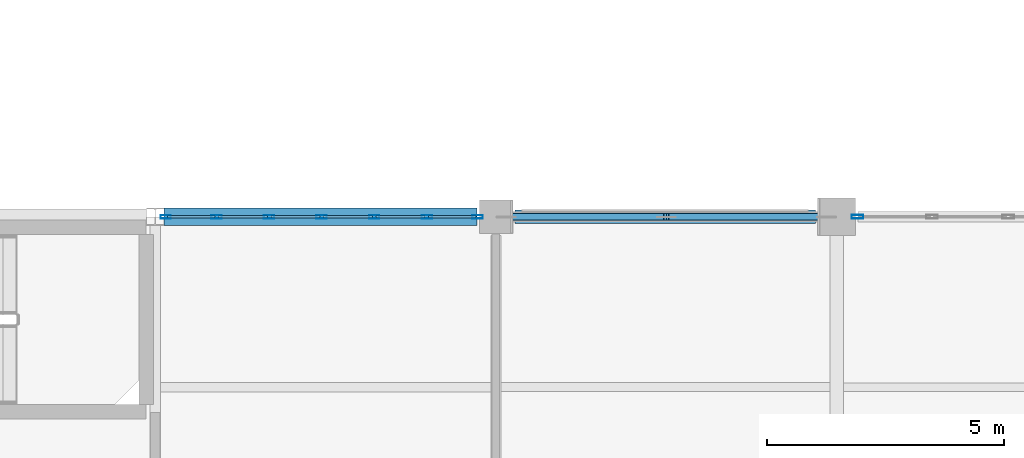
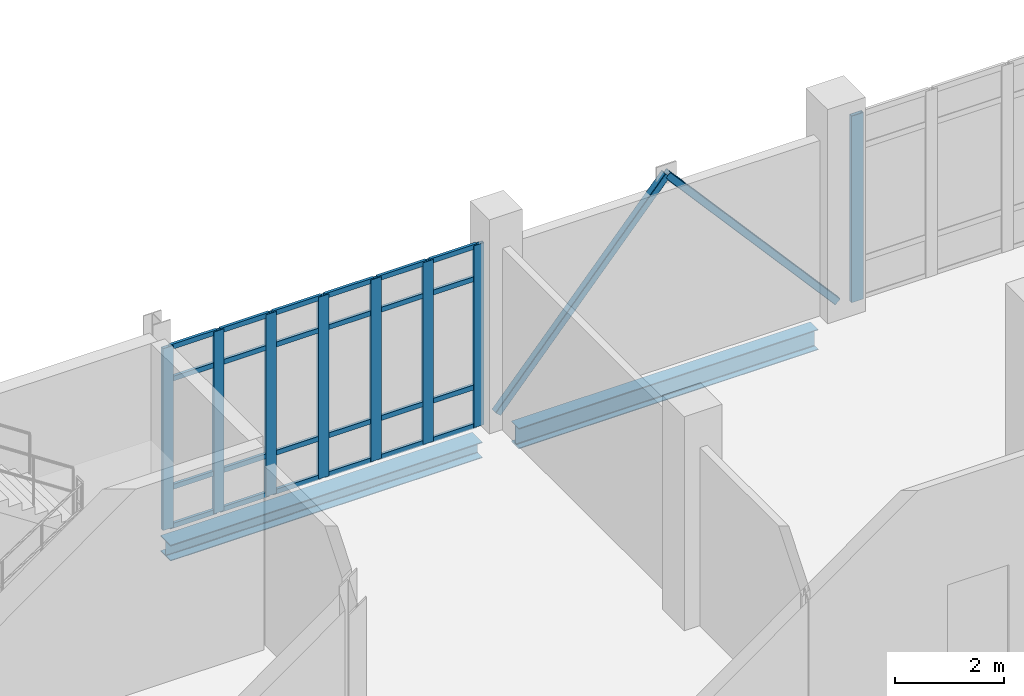
# One storey, part 77 of 153: 34 members, 2 beams, 2 elements without a shape of their own.
"""IFC4 building model written with IfcOpenShell, lengths in metres."""

from ifc_helpers import new_model, si_unit, direction, frame, origin, origin_2d, place, context, subcontext, project, spatial, hollow_rectangle, i_section, extrude, material, layer, layer_set, material_profile, profile_set, type_object, element, aggregate, save


model = new_model("IFC4")

# Units and contexts
model_context = context("Model", 3, precision=1e-05, world=origin(), true_north=direction((0.0, 1.0)))
body_context = subcontext(model_context, "Body", "Model", "MODEL_VIEW")
ifc_project = project(units=[si_unit("LENGTHUNIT", "METRE"), si_unit("AREAUNIT", "SQUARE_METRE"), si_unit("VOLUMEUNIT", "CUBIC_METRE"), si_unit("PLANEANGLEUNIT", "RADIAN"), si_unit("MASSUNIT", "GRAM", prefix="KILO")], contexts=[model_context])

# Site, building, storey
site_placement = place(None, origin())
site = spatial("IfcSite", under=ifc_project, at=site_placement, CompositionType="ELEMENT")
building_placement = place(site_placement, origin())
building = spatial("IfcBuilding", under=site, at=building_placement, Name="Calvrana Isthmian Art Gallery", CompositionType="ELEMENT")
storey_placement = place(building_placement, frame((0.0, 0.0, 10.199951171875)))
storey = spatial("IfcBuildingStorey", under=building, at=storey_placement, Name="L02", CompositionType="ELEMENT", Elevation=10.199951171875)

# Beams
ifc_material_1 = material(Name="Steel ASTM A992 Gr 50", Category="steel")
ifc_material_profile_1 = material_profile(ifc_material_1, i_section(OverallWidth=0.279052734375, OverallDepth=0.4619140625, WebThickness=0.0107421875, FlangeThickness=0.017333984375, FilletRadius=0.02001953125, at=origin_2d()), Name="W18X76")
ifc_profile_set_1 = profile_set([ifc_material_profile_1], Name="Steel ASTM A992 Gr 50")
beam_type_1 = type_object("IfcBeamType", Name="BM-G-W18X76", PredefinedType="BEAM", material=ifc_profile_set_1)
beam_1_placement = place(storey_placement, frame((120.39990234375, 98.39990234375, -0.495849609375), z_axis=(1.0, 0.0, 0.0), x_axis=(0.0, 1.0, 0.0)))
element("IfcBeam", 1, at=beam_1_placement, inside=storey, type_object=beam_type_1, Name="Girder X L02 16-17/N", PredefinedType="BEAM", context=body_context, shape_type="SweptSolid", body=[
    extrude(i_section(OverallWidth=0.279052734375, OverallDepth=0.4619140625, WebThickness=0.0107421875, FlangeThickness=0.017333984375, FilletRadius=0.02001953125, at=origin_2d()), origin(), (0.0, 0.0, 1.0), 6.35009765625),
])
ifc_material_profile_2 = material_profile(ifc_material_1, i_section(OverallWidth=0.367919921875, OverallDepth=0.35595703125, WebThickness=0.01123046875, FlangeThickness=0.01806640625, FilletRadius=0.02490234375, at=origin_2d()), Name="W14X90")
ifc_profile_set_2 = profile_set([ifc_material_profile_2], Name="Steel ASTM A992 Gr 50")
beam_type_2 = type_object("IfcBeamType", Name="BM-SP-W14X90", PredefinedType="SPANDREL", material=ifc_profile_set_2)
beam_2_placement = place(storey_placement, frame((112.985595703125, 98.39990234375, -0.44287109375), z_axis=(1.0, 0.0, 0.0), x_axis=(0.0, 1.0, 0.0)))
element("IfcBeam", 2, at=beam_2_placement, inside=storey, type_object=beam_type_2, Name="Girder X L02 15-16/N", PredefinedType="SPANDREL", context=body_context, shape_type="SweptSolid", body=[
    extrude(i_section(OverallWidth=0.367919921875, OverallDepth=0.35595703125, WebThickness=0.01123046875, FlangeThickness=0.01806640625, FilletRadius=0.02490234375, at=origin_2d()), origin(), (0.0, 0.0, 1.0), 6.614501953125),
])

# Curtain wall, members
ifc_material_2 = material(Name="Anodized bronze aluminium 6063-T6", Category="aluminium")
ifc_layer_1 = layer(ifc_material_2, 0.179931640625, Name="Anodized bronze aluminium 6063-T6")
ifc_layer_set_1 = layer_set([ifc_layer_1], Name="Anodized bronze aluminium 6063-T6")
curtain_wall_type_1 = type_object("IfcCurtainWallType", Name="CW-UNIT-067X41", PredefinedType="USERDEFINED", material=ifc_layer_set_1)
curtain_wall_1_placement = place(storey_placement, origin())
curtain_wall_1 = element("IfcCurtainWall", 3, at=curtain_wall_1_placement, inside=storey, type_object=curtain_wall_type_1, Name="Curtain wall CW-160", ObjectType="UNITISED CURTAIN WALL", PredefinedType="USERDEFINED")
ifc_material_profile_3 = material_profile(ifc_material_2, hollow_rectangle(XDim=0.074951171875, YDim=0.219970703125, WallThickness=0.0048828125, at=origin_2d()), Name="CWM75X220")
ifc_profile_set_3 = profile_set([ifc_material_profile_3], Name="Anodized bronze aluminium 6063-T6")
member_type_1 = type_object("IfcMemberType", Name="CWM-CWM75X220", PredefinedType="MULLION", material=ifc_profile_set_3)
member_1_placement = place(storey_placement, frame((113.02392578125, 98.39990234375, 0.0), z_axis=(0.0, 0.0, 1.0), x_axis=(0.0, 1.0, 0.0)))
member_1 = element("IfcMember", 4, at=member_1_placement, type_object=member_type_1, Name="CW-160 mullion 1", PredefinedType="MULLION", context=body_context, shape_type="SweptSolid", body=[
    extrude(hollow_rectangle(XDim=0.074951171875, YDim=0.219970703125, WallThickness=0.0048828125, at=origin_2d()), origin(), (0.0, 0.0, 1.0), 4.078125),
])
member_2_placement = place(storey_placement, frame((114.09716796875, 98.39990234375, 0.0), z_axis=(0.0, 0.0, 1.0), x_axis=(0.0, 1.0, 0.0)))
member_2 = element("IfcMember", 5, at=member_2_placement, type_object=member_type_1, Name="CW-160 mullion 2", PredefinedType="MULLION", context=body_context, shape_type="SweptSolid", body=[
    extrude(hollow_rectangle(XDim=0.074951171875, YDim=0.219970703125, WallThickness=0.0048828125, at=origin_2d()), origin(), (0.0, 0.0, 1.0), 4.078125),
])
member_3_placement = place(storey_placement, frame((115.207763671875, 98.39990234375, 0.0), z_axis=(0.0, 0.0, 1.0), x_axis=(0.0, 1.0, 0.0)))
member_3 = element("IfcMember", 6, at=member_3_placement, type_object=member_type_1, Name="CW-160 mullion 3", PredefinedType="MULLION", context=body_context, shape_type="SweptSolid", body=[
    extrude(hollow_rectangle(XDim=0.074951171875, YDim=0.219970703125, WallThickness=0.0048828125, at=origin_2d()), origin(), (0.0, 0.0, 1.0), 4.078125),
])
member_4_placement = place(storey_placement, frame((116.318359375, 98.39990234375, 0.0), z_axis=(0.0, 0.0, 1.0), x_axis=(0.0, 1.0, 0.0)))
member_4 = element("IfcMember", 7, at=member_4_placement, type_object=member_type_1, Name="CW-160 mullion 4", PredefinedType="MULLION", context=body_context, shape_type="SweptSolid", body=[
    extrude(hollow_rectangle(XDim=0.074951171875, YDim=0.219970703125, WallThickness=0.0048828125, at=origin_2d()), origin(), (0.0, 0.0, 1.0), 4.078125),
])
member_5_placement = place(storey_placement, frame((117.428955078125, 98.39990234375, 0.0), z_axis=(0.0, 0.0, 1.0), x_axis=(0.0, 1.0, 0.0)))
member_5 = element("IfcMember", 8, at=member_5_placement, type_object=member_type_1, Name="CW-160 mullion 5", PredefinedType="MULLION", context=body_context, shape_type="SweptSolid", body=[
    extrude(hollow_rectangle(XDim=0.074951171875, YDim=0.219970703125, WallThickness=0.0048828125, at=origin_2d()), origin(), (0.0, 0.0, 1.0), 4.078125),
])
member_6_placement = place(storey_placement, frame((118.539306640625, 98.39990234375, 0.0), z_axis=(0.0, 0.0, 1.0), x_axis=(0.0, 1.0, 0.0)))
member_6 = element("IfcMember", 9, at=member_6_placement, type_object=member_type_1, Name="CW-160 mullion 6", PredefinedType="MULLION", context=body_context, shape_type="SweptSolid", body=[
    extrude(hollow_rectangle(XDim=0.074951171875, YDim=0.219970703125, WallThickness=0.0048828125, at=origin_2d()), origin(), (0.0, 0.0, 1.0), 4.078125),
])
member_7_placement = place(storey_placement, frame((119.612548828125, 98.39990234375, 0.0), z_axis=(0.0, 0.0, 1.0), x_axis=(0.0, 1.0, 0.0)))
member_7 = element("IfcMember", 10, at=member_7_placement, type_object=member_type_1, Name="CW-160 mullion 7", PredefinedType="MULLION", context=body_context, shape_type="SweptSolid", body=[
    extrude(hollow_rectangle(XDim=0.074951171875, YDim=0.219970703125, WallThickness=0.0048828125, at=origin_2d()), origin(), (0.0, 0.0, 1.0), 4.078125),
])

# Curtain wall, member
ifc_layer_2 = layer(ifc_material_2, 0.179931640625, Name="Anodized bronze aluminium 6063-T6")
ifc_layer_set_2 = layer_set([ifc_layer_2], Name="Anodized bronze aluminium 6063-T6")
curtain_wall_type_2 = type_object("IfcCurtainWallType", Name="CW-STICK-065X42", PredefinedType="NOTDEFINED", material=ifc_layer_set_2)
curtain_wall_2_placement = place(storey_placement, origin())
curtain_wall_2 = element("IfcCurtainWall", 11, at=curtain_wall_2_placement, inside=storey, type_object=curtain_wall_type_2, Name="Curtain wall CW-161", PredefinedType="NOTDEFINED")
ifc_material_profile_4 = material_profile(ifc_material_2, hollow_rectangle(XDim=0.080078125, YDim=0.25, WallThickness=0.005615234375, at=origin_2d()), Name="CWM80X250")
ifc_profile_set_4 = profile_set([ifc_material_profile_4], Name="Anodized bronze aluminium 6063-T6")
member_type_2 = type_object("IfcMemberType", Name="CWM-CWM80X250", PredefinedType="MULLION", material=ifc_profile_set_4)
member_8_placement = place(storey_placement, frame((127.639892578125, 98.39990234375, 0.0), z_axis=(0.0, 0.0, 1.0), x_axis=(0.0, 1.0, 0.0)))
member_8 = element("IfcMember", 12, at=member_8_placement, type_object=member_type_2, Name="CW-161 mullion 1", PredefinedType="MULLION", context=body_context, shape_type="SweptSolid", body=[
    extrude(hollow_rectangle(XDim=0.080078125, YDim=0.25, WallThickness=0.005615234375, at=origin_2d()), origin(), (0.0, 0.0, 1.0), 4.18408203125),
])
aggregate(curtain_wall_2, [member_8])

# Member
ifc_material_profile_5 = material_profile(ifc_material_2, hollow_rectangle(XDim=0.06005859375, YDim=0.110107421875, WallThickness=0.00341796875, at=origin_2d()), Name="CWT60X110")
ifc_profile_set_5 = profile_set([ifc_material_profile_5], Name="Anodized bronze aluminium 6063-T6")
member_type_3 = type_object("IfcMemberType", Name="CWT-CWT60X110", PredefinedType="USERDEFINED", material=ifc_profile_set_5)
member_9_placement = place(storey_placement, frame((113.0615234375, 98.39990234375, 0.030029296875), z_axis=(1.0, 0.0, 0.0), x_axis=(0.0, 1.0, 0.0)))
member_9 = element("IfcMember", 13, at=member_9_placement, type_object=member_type_3, Name="CW-160 transom 1.1", ObjectType="TRANSOM", PredefinedType="USERDEFINED", context=body_context, shape_type="SweptSolid", body=[
    extrude(hollow_rectangle(XDim=0.06005859375, YDim=0.110107421875, WallThickness=0.00341796875, at=origin_2d()), origin(), (0.0, 0.0, 1.0), 0.998046875),
])

member_10_placement = place(storey_placement, frame((113.0615234375, 98.39990234375, 0.900146484375), z_axis=(1.0, 0.0, 0.0), x_axis=(0.0, 1.0, 0.0)))
member_10 = element("IfcMember", 14, at=member_10_placement, type_object=member_type_3, Name="CW-160 transom 1.2", ObjectType="TRANSOM", PredefinedType="USERDEFINED", context=body_context, shape_type="SweptSolid", body=[
    extrude(hollow_rectangle(XDim=0.06005859375, YDim=0.110107421875, WallThickness=0.00341796875, at=origin_2d()), origin(), (0.0, 0.0, 1.0), 0.998046875),
])

member_11_placement = place(storey_placement, frame((113.0615234375, 98.39990234375, 3.328125), z_axis=(1.0, 0.0, 0.0), x_axis=(0.0, 1.0, 0.0)))
member_11 = element("IfcMember", 15, at=member_11_placement, type_object=member_type_3, Name="CW-160 transom 1.3", ObjectType="TRANSOM", PredefinedType="USERDEFINED", context=body_context, shape_type="SweptSolid", body=[
    extrude(hollow_rectangle(XDim=0.06005859375, YDim=0.110107421875, WallThickness=0.00341796875, at=origin_2d()), origin(), (0.0, 0.0, 1.0), 0.998046875),
])

member_12_placement = place(storey_placement, frame((113.0615234375, 98.39990234375, 4.048095703125), z_axis=(1.0, 0.0, 0.0), x_axis=(0.0, 1.0, 0.0)))
member_12 = element("IfcMember", 16, at=member_12_placement, type_object=member_type_3, Name="CW-160 transom 1.4", ObjectType="TRANSOM", PredefinedType="USERDEFINED", context=body_context, shape_type="SweptSolid", body=[
    extrude(hollow_rectangle(XDim=0.06005859375, YDim=0.110107421875, WallThickness=0.00341796875, at=origin_2d()), origin(), (0.0, 0.0, 1.0), 0.998046875),
])

member_13_placement = place(storey_placement, frame((114.134521484375, 98.39990234375, 0.030029296875), z_axis=(1.0, 0.0, 0.0), x_axis=(0.0, 1.0, 0.0)))
member_13 = element("IfcMember", 17, at=member_13_placement, type_object=member_type_3, Name="CW-160 transom 2.1", ObjectType="TRANSOM", PredefinedType="USERDEFINED", context=body_context, shape_type="SweptSolid", body=[
    extrude(hollow_rectangle(XDim=0.06005859375, YDim=0.110107421875, WallThickness=0.00341796875, at=origin_2d()), origin(), (0.0, 0.0, 1.0), 1.03564453125),
])

member_14_placement = place(storey_placement, frame((114.134521484375, 98.39990234375, 0.900146484375), z_axis=(1.0, 0.0, 0.0), x_axis=(0.0, 1.0, 0.0)))
member_14 = element("IfcMember", 18, at=member_14_placement, type_object=member_type_3, Name="CW-160 transom 2.2", ObjectType="TRANSOM", PredefinedType="USERDEFINED", context=body_context, shape_type="SweptSolid", body=[
    extrude(hollow_rectangle(XDim=0.06005859375, YDim=0.110107421875, WallThickness=0.00341796875, at=origin_2d()), origin(), (0.0, 0.0, 1.0), 1.03564453125),
])

member_15_placement = place(storey_placement, frame((114.134521484375, 98.39990234375, 3.328125), z_axis=(1.0, 0.0, 0.0), x_axis=(0.0, 1.0, 0.0)))
member_15 = element("IfcMember", 19, at=member_15_placement, type_object=member_type_3, Name="CW-160 transom 2.3", ObjectType="TRANSOM", PredefinedType="USERDEFINED", context=body_context, shape_type="SweptSolid", body=[
    extrude(hollow_rectangle(XDim=0.06005859375, YDim=0.110107421875, WallThickness=0.00341796875, at=origin_2d()), origin(), (0.0, 0.0, 1.0), 1.03564453125),
])

member_16_placement = place(storey_placement, frame((114.134521484375, 98.39990234375, 4.048095703125), z_axis=(1.0, 0.0, 0.0), x_axis=(0.0, 1.0, 0.0)))
member_16 = element("IfcMember", 20, at=member_16_placement, type_object=member_type_3, Name="CW-160 transom 2.4", ObjectType="TRANSOM", PredefinedType="USERDEFINED", context=body_context, shape_type="SweptSolid", body=[
    extrude(hollow_rectangle(XDim=0.06005859375, YDim=0.110107421875, WallThickness=0.00341796875, at=origin_2d()), origin(), (0.0, 0.0, 1.0), 1.03564453125),
])

member_17_placement = place(storey_placement, frame((115.2451171875, 98.39990234375, 0.030029296875), z_axis=(1.0, 0.0, 0.0), x_axis=(0.0, 1.0, 0.0)))
member_17 = element("IfcMember", 21, at=member_17_placement, type_object=member_type_3, Name="CW-160 transom 3.1", ObjectType="TRANSOM", PredefinedType="USERDEFINED", context=body_context, shape_type="SweptSolid", body=[
    extrude(hollow_rectangle(XDim=0.06005859375, YDim=0.110107421875, WallThickness=0.00341796875, at=origin_2d()), origin(), (0.0, 0.0, 1.0), 1.03564453125),
])

member_18_placement = place(storey_placement, frame((115.2451171875, 98.39990234375, 0.900146484375), z_axis=(1.0, 0.0, 0.0), x_axis=(0.0, 1.0, 0.0)))
member_18 = element("IfcMember", 22, at=member_18_placement, type_object=member_type_3, Name="CW-160 transom 3.2", ObjectType="TRANSOM", PredefinedType="USERDEFINED", context=body_context, shape_type="SweptSolid", body=[
    extrude(hollow_rectangle(XDim=0.06005859375, YDim=0.110107421875, WallThickness=0.00341796875, at=origin_2d()), origin(), (0.0, 0.0, 1.0), 1.03564453125),
])

member_19_placement = place(storey_placement, frame((115.2451171875, 98.39990234375, 3.328125), z_axis=(1.0, 0.0, 0.0), x_axis=(0.0, 1.0, 0.0)))
member_19 = element("IfcMember", 23, at=member_19_placement, type_object=member_type_3, Name="CW-160 transom 3.3", ObjectType="TRANSOM", PredefinedType="USERDEFINED", context=body_context, shape_type="SweptSolid", body=[
    extrude(hollow_rectangle(XDim=0.06005859375, YDim=0.110107421875, WallThickness=0.00341796875, at=origin_2d()), origin(), (0.0, 0.0, 1.0), 1.03564453125),
])

member_20_placement = place(storey_placement, frame((115.2451171875, 98.39990234375, 4.048095703125), z_axis=(1.0, 0.0, 0.0), x_axis=(0.0, 1.0, 0.0)))
member_20 = element("IfcMember", 24, at=member_20_placement, type_object=member_type_3, Name="CW-160 transom 3.4", ObjectType="TRANSOM", PredefinedType="USERDEFINED", context=body_context, shape_type="SweptSolid", body=[
    extrude(hollow_rectangle(XDim=0.06005859375, YDim=0.110107421875, WallThickness=0.00341796875, at=origin_2d()), origin(), (0.0, 0.0, 1.0), 1.03564453125),
])

member_21_placement = place(storey_placement, frame((116.355712890625, 98.39990234375, 0.030029296875), z_axis=(1.0, 0.0, 0.0), x_axis=(0.0, 1.0, 0.0)))
member_21 = element("IfcMember", 25, at=member_21_placement, type_object=member_type_3, Name="CW-160 transom 4.1", ObjectType="TRANSOM", PredefinedType="USERDEFINED", context=body_context, shape_type="SweptSolid", body=[
    extrude(hollow_rectangle(XDim=0.06005859375, YDim=0.110107421875, WallThickness=0.00341796875, at=origin_2d()), origin(), (0.0, 0.0, 1.0), 1.03564453125),
])

member_22_placement = place(storey_placement, frame((116.355712890625, 98.39990234375, 0.900146484375), z_axis=(1.0, 0.0, 0.0), x_axis=(0.0, 1.0, 0.0)))
member_22 = element("IfcMember", 26, at=member_22_placement, type_object=member_type_3, Name="CW-160 transom 4.2", ObjectType="TRANSOM", PredefinedType="USERDEFINED", context=body_context, shape_type="SweptSolid", body=[
    extrude(hollow_rectangle(XDim=0.06005859375, YDim=0.110107421875, WallThickness=0.00341796875, at=origin_2d()), origin(), (0.0, 0.0, 1.0), 1.03564453125),
])

member_23_placement = place(storey_placement, frame((116.355712890625, 98.39990234375, 3.328125), z_axis=(1.0, 0.0, 0.0), x_axis=(0.0, 1.0, 0.0)))
member_23 = element("IfcMember", 27, at=member_23_placement, type_object=member_type_3, Name="CW-160 transom 4.3", ObjectType="TRANSOM", PredefinedType="USERDEFINED", context=body_context, shape_type="SweptSolid", body=[
    extrude(hollow_rectangle(XDim=0.06005859375, YDim=0.110107421875, WallThickness=0.00341796875, at=origin_2d()), origin(), (0.0, 0.0, 1.0), 1.03564453125),
])

member_24_placement = place(storey_placement, frame((116.355712890625, 98.39990234375, 4.048095703125), z_axis=(1.0, 0.0, 0.0), x_axis=(0.0, 1.0, 0.0)))
member_24 = element("IfcMember", 28, at=member_24_placement, type_object=member_type_3, Name="CW-160 transom 4.4", ObjectType="TRANSOM", PredefinedType="USERDEFINED", context=body_context, shape_type="SweptSolid", body=[
    extrude(hollow_rectangle(XDim=0.06005859375, YDim=0.110107421875, WallThickness=0.00341796875, at=origin_2d()), origin(), (0.0, 0.0, 1.0), 1.03564453125),
])

member_25_placement = place(storey_placement, frame((117.46630859375, 98.39990234375, 0.030029296875), z_axis=(1.0, 0.0, 0.0), x_axis=(0.0, 1.0, 0.0)))
member_25 = element("IfcMember", 29, at=member_25_placement, type_object=member_type_3, Name="CW-160 transom 5.1", ObjectType="TRANSOM", PredefinedType="USERDEFINED", context=body_context, shape_type="SweptSolid", body=[
    extrude(hollow_rectangle(XDim=0.06005859375, YDim=0.110107421875, WallThickness=0.00341796875, at=origin_2d()), origin(), (0.0, 0.0, 1.0), 1.03564453125),
])

member_26_placement = place(storey_placement, frame((117.46630859375, 98.39990234375, 0.900146484375), z_axis=(1.0, 0.0, 0.0), x_axis=(0.0, 1.0, 0.0)))
member_26 = element("IfcMember", 30, at=member_26_placement, type_object=member_type_3, Name="CW-160 transom 5.2", ObjectType="TRANSOM", PredefinedType="USERDEFINED", context=body_context, shape_type="SweptSolid", body=[
    extrude(hollow_rectangle(XDim=0.06005859375, YDim=0.110107421875, WallThickness=0.00341796875, at=origin_2d()), origin(), (0.0, 0.0, 1.0), 1.03564453125),
])

member_27_placement = place(storey_placement, frame((117.46630859375, 98.39990234375, 3.328125), z_axis=(1.0, 0.0, 0.0), x_axis=(0.0, 1.0, 0.0)))
member_27 = element("IfcMember", 31, at=member_27_placement, type_object=member_type_3, Name="CW-160 transom 5.3", ObjectType="TRANSOM", PredefinedType="USERDEFINED", context=body_context, shape_type="SweptSolid", body=[
    extrude(hollow_rectangle(XDim=0.06005859375, YDim=0.110107421875, WallThickness=0.00341796875, at=origin_2d()), origin(), (0.0, 0.0, 1.0), 1.03564453125),
])

member_28_placement = place(storey_placement, frame((117.46630859375, 98.39990234375, 4.048095703125), z_axis=(1.0, 0.0, 0.0), x_axis=(0.0, 1.0, 0.0)))
member_28 = element("IfcMember", 32, at=member_28_placement, type_object=member_type_3, Name="CW-160 transom 5.4", ObjectType="TRANSOM", PredefinedType="USERDEFINED", context=body_context, shape_type="SweptSolid", body=[
    extrude(hollow_rectangle(XDim=0.06005859375, YDim=0.110107421875, WallThickness=0.00341796875, at=origin_2d()), origin(), (0.0, 0.0, 1.0), 1.03564453125),
])

member_29_placement = place(storey_placement, frame((118.576904296875, 98.39990234375, 0.030029296875), z_axis=(1.0, 0.0, 0.0), x_axis=(0.0, 1.0, 0.0)))
member_29 = element("IfcMember", 33, at=member_29_placement, type_object=member_type_3, Name="CW-160 transom 6.1", ObjectType="TRANSOM", PredefinedType="USERDEFINED", context=body_context, shape_type="SweptSolid", body=[
    extrude(hollow_rectangle(XDim=0.06005859375, YDim=0.110107421875, WallThickness=0.00341796875, at=origin_2d()), origin(), (0.0, 0.0, 1.0), 0.998046875),
])

member_30_placement = place(storey_placement, frame((118.576904296875, 98.39990234375, 0.900146484375), z_axis=(1.0, 0.0, 0.0), x_axis=(0.0, 1.0, 0.0)))
member_30 = element("IfcMember", 34, at=member_30_placement, type_object=member_type_3, Name="CW-160 transom 6.2", ObjectType="TRANSOM", PredefinedType="USERDEFINED", context=body_context, shape_type="SweptSolid", body=[
    extrude(hollow_rectangle(XDim=0.06005859375, YDim=0.110107421875, WallThickness=0.00341796875, at=origin_2d()), origin(), (0.0, 0.0, 1.0), 0.998046875),
])

member_31_placement = place(storey_placement, frame((118.576904296875, 98.39990234375, 3.328125), z_axis=(1.0, 0.0, 0.0), x_axis=(0.0, 1.0, 0.0)))
member_31 = element("IfcMember", 35, at=member_31_placement, type_object=member_type_3, Name="CW-160 transom 6.3", ObjectType="TRANSOM", PredefinedType="USERDEFINED", context=body_context, shape_type="SweptSolid", body=[
    extrude(hollow_rectangle(XDim=0.06005859375, YDim=0.110107421875, WallThickness=0.00341796875, at=origin_2d()), origin(), (0.0, 0.0, 1.0), 0.998046875),
])

member_32_placement = place(storey_placement, frame((118.576904296875, 98.39990234375, 4.048095703125), z_axis=(1.0, 0.0, 0.0), x_axis=(0.0, 1.0, 0.0)))
member_32 = element("IfcMember", 36, at=member_32_placement, type_object=member_type_3, Name="CW-160 transom 6.4", ObjectType="TRANSOM", PredefinedType="USERDEFINED", context=body_context, shape_type="SweptSolid", body=[
    extrude(hollow_rectangle(XDim=0.06005859375, YDim=0.110107421875, WallThickness=0.00341796875, at=origin_2d()), origin(), (0.0, 0.0, 1.0), 0.998046875),
])

aggregate(curtain_wall_1, [member_1, member_2, member_3, member_4, member_5, member_6, member_7, member_9, member_10, member_11, member_12, member_13, member_14, member_15, member_16, member_17, member_18, member_19, member_20, member_21, member_22, member_23, member_24, member_25, member_26, member_27, member_28, member_29, member_30, member_31, member_32])

# Members
ifc_material_3 = material(Name="Steel ASTM A500 Gr C", Category="steel")
ifc_material_profile_6 = material_profile(ifc_material_3, hollow_rectangle(XDim=0.15234375, YDim=0.15234375, WallThickness=0.009521484375, OuterFilletRadius=0.01904296875, at=origin_2d()), Name="HSS152X152X9.5")
ifc_profile_set_6 = profile_set([ifc_material_profile_6], Name="Steel ASTM A500 Gr C")
member_type_4 = type_object("IfcMemberType", Name="MB-BR-RHS152", PredefinedType="BRACE", material=ifc_profile_set_6)
member_33_placement = place(storey_placement, frame((120.0, 98.39990234375, 0.150146484375), z_axis=(0.659691495219, 0.0, 0.751536513508), x_axis=(0.0, 1.0, 0.0)))
element("IfcMember", 37, at=member_33_placement, inside=storey, type_object=member_type_4, Name="Chevron lateral brace L02-15A", PredefinedType="BRACE", context=body_context, shape_type="SweptSolid", body=[
    extrude(hollow_rectangle(XDim=0.15234375, YDim=0.15234375, WallThickness=0.009521484375, OuterFilletRadius=0.01904296875, at=origin_2d()), origin(), (0.0, 0.0, 1.0), 5.457275390625),
])
member_34_placement = place(storey_placement, frame((127.199951171875, 98.39990234375, 0.150146484375), z_axis=(-0.659666226336, 0.0, 0.751558693538), x_axis=(0.0, -1.0, 0.0)))
element("IfcMember", 38, at=member_34_placement, inside=storey, type_object=member_type_4, Name="Chevron lateral brace L02-15B", PredefinedType="BRACE", context=body_context, shape_type="SweptSolid", body=[
    extrude(hollow_rectangle(XDim=0.15234375, YDim=0.15234375, WallThickness=0.009521484375, OuterFilletRadius=0.01904296875, at=origin_2d()), origin(), (0.0, 0.0, 1.0), 5.45703125),
])

save(model, "model.ifc")
